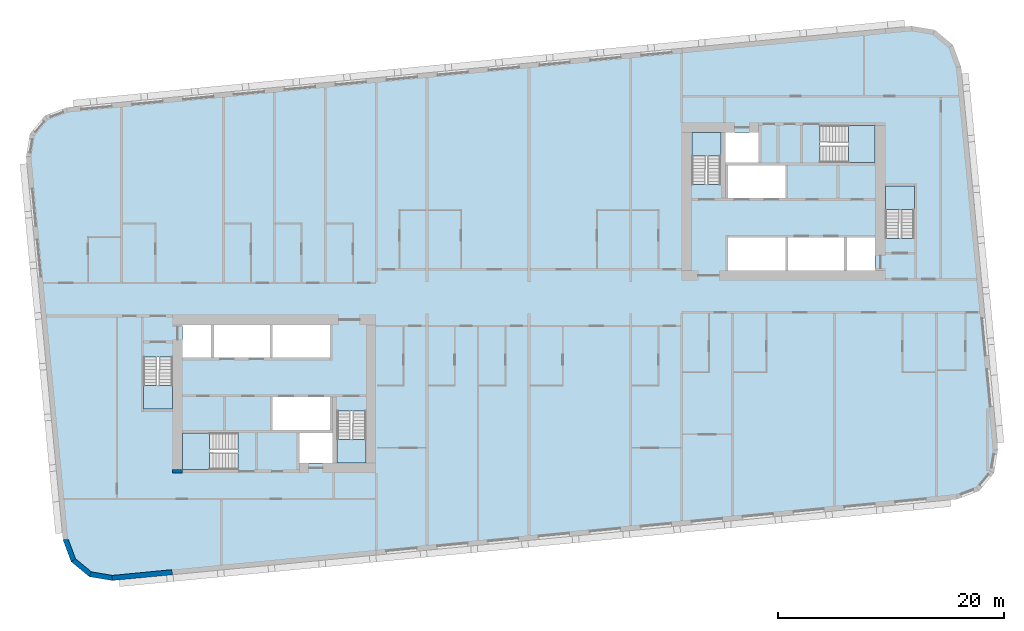
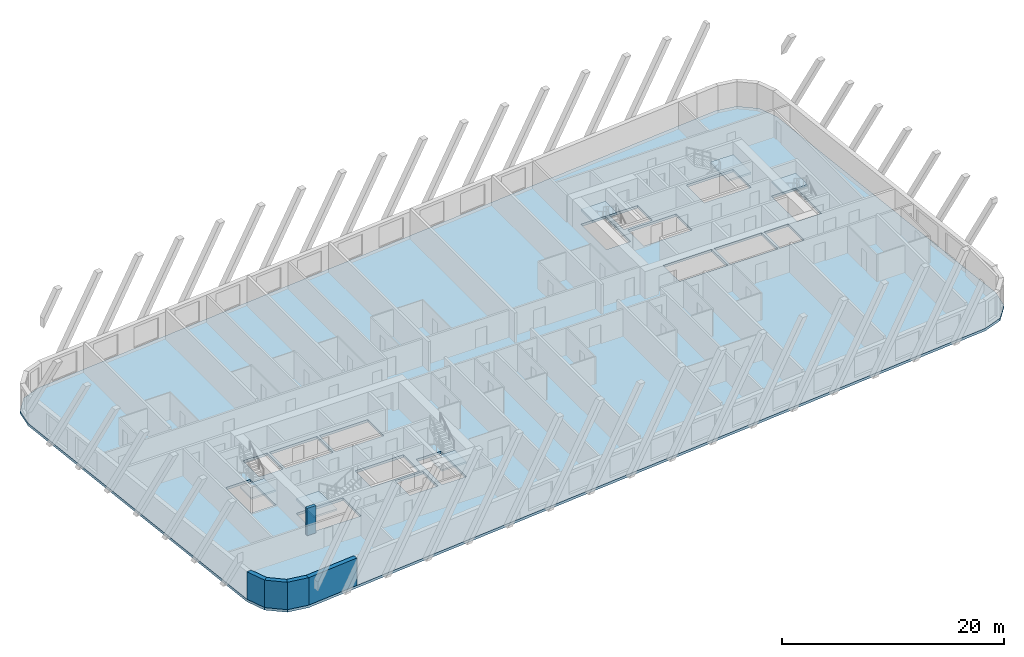
# One storey, part 1 of 13: 7 slabs, 5 walls, 6 elements without a shape of their own.
"""IFC4 building model written with IfcOpenShell, lengths in metres."""

import ifcopenshell
import ifcopenshell.guid

model = None  # the IFC model being written
_history = None  # IfcOwnerHistory: only IFC2X3 demands one
_inside = {}  # id of a spatial element -> (the spatial element, [elements in it])
_under = {}  # id of a project, library or spatial element -> (it, [spatial elements below it])
_declared = {}  # id of a project -> (the project, [libraries it declares])
_typed = {}  # id of a type object -> (the type object, [elements of that type])
_made_of = {}  # id of a material, layer set ... -> (it, [elements and type objects made of it])


def new_model(schema):
    """Start an empty IFC model of exactly this schema.

    Asked for "IFC4X3", IfcOpenShell would pick the latest addendum, in which some entities
    have other attributes; the version numbers below select the first issue.
    IFC2X3 requires an IfcOwnerHistory on every rooted entity: one is made here for all.
    """
    global model, _history
    if schema == "IFC4X3":
        model = ifcopenshell.file(schema_version=(4, 3, 0, 0))
    else:
        model = ifcopenshell.file(schema=schema)
    _inside.clear()
    _under.clear()
    _declared.clear()
    _typed.clear()
    _made_of.clear()
    _history = None
    if model.schema == "IFC2X3":
        org = make("IfcOrganization", Name="unknown")
        user = make(
            "IfcPersonAndOrganization",
            ThePerson=make("IfcPerson", FamilyName="unknown"),
            TheOrganization=org,
        )
        app = make(
            "IfcApplication",
            ApplicationDeveloper=org,
            Version="unknown",
            ApplicationFullName="unknown",
            ApplicationIdentifier="unknown",
        )
        _history = make(
            "IfcOwnerHistory",
            OwningUser=user,
            OwningApplication=app,
            ChangeAction="ADDED",
            CreationDate=0,
        )
    return model


def make(cls, **values):
    """One entity of the class cls with the attributes given. An attribute that is None is left unset."""
    return model.create_entity(
        cls, **{name: value for name, value in values.items() if value is not None}
    )


def rooted(cls, **values):
    """An entity with a GlobalId (a new one), such as an element, a storey or a relation."""
    return make(cls, GlobalId=ifcopenshell.guid.new(), OwnerHistory=_history, **values)


def si_unit(unit_type, name, prefix=None):
    """IfcSIUnit, for example si_unit("LENGTHUNIT", "METRE", prefix="MILLI")."""
    return make("IfcSIUnit", UnitType=unit_type, Prefix=prefix, Name=name)


def assignment(units):
    """IfcUnitAssignment: the units of a project."""
    return None if units is None else make("IfcUnitAssignment", Units=units)


def point(xyz):
    """IfcCartesianPoint."""
    return None if xyz is None else make("IfcCartesianPoint", Coordinates=xyz)


def direction(xyz):
    """IfcDirection."""
    return None if xyz is None else make("IfcDirection", DirectionRatios=xyz)


def frame(location, z_axis=None, x_axis=None):
    """IfcAxis2Placement3D, a coordinate frame: its origin and axes. An axis left out is left unset."""
    return make(
        "IfcAxis2Placement3D",
        Location=point(location),
        Axis=direction(z_axis),
        RefDirection=direction(x_axis),
    )


def frame_2d(location, x_axis=None):
    """IfcAxis2Placement2D, a coordinate frame in the plane: its origin and x axis."""
    return make(
        "IfcAxis2Placement2D", Location=point(location), RefDirection=direction(x_axis)
    )


def origin():
    """The frame at (0, 0, 0) with its axes left unset."""
    return frame((0.0, 0.0, 0.0))


def place(relative_to, where):
    """IfcLocalPlacement: puts the frame where relative to a parent placement (None: the world)."""
    return make(
        "IfcLocalPlacement", PlacementRelTo=relative_to, RelativePlacement=where
    )


def context(
    kind, dimensions, precision=None, world=None, true_north=None, identifier=None
):
    """IfcGeometricRepresentationContext, for example the 3D "Model" context."""
    return make(
        "IfcGeometricRepresentationContext",
        ContextIdentifier=identifier,
        ContextType=kind,
        CoordinateSpaceDimension=dimensions,
        Precision=precision,
        WorldCoordinateSystem=world,
        TrueNorth=true_north,
    )


def subcontext(parent, identifier, kind, view, scale=None):
    """IfcGeometricRepresentationSubContext, for example "Body" below "Model"."""
    return make(
        "IfcGeometricRepresentationSubContext",
        ContextIdentifier=identifier,
        ContextType=kind,
        ParentContext=parent,
        TargetScale=scale,
        TargetView=view,
    )


def project(units=None, contexts=None):
    """IfcProject with its units and contexts."""
    return rooted(
        "IfcProject",
        Name="project",
        RepresentationContexts=contexts,
        UnitsInContext=assignment(units),
    )


def spatial(cls, under=None, at=None, **own):
    """A site, building, storey or space (cls), placed at a placement, below another one or the project."""
    s = rooted(cls, ObjectPlacement=at, **own)
    if under is not None:
        _under.setdefault(under.id(), (under, []))[1].append(s)
    return s


def polyline(points):
    """IfcPolyline through the points."""
    return make("IfcPolyline", Points=[point(p) for p in points])


def profile(cls, at=None, kind="AREA", **sizes):
    """A parametric profile (cls). Its sizes go by their IFC names, for example OverallWidth=200.0."""
    return make(cls, ProfileType=kind, Position=at, **sizes)


def rectangle(**sizes):
    """IfcRectangleProfileDef."""
    return profile("IfcRectangleProfileDef", **sizes)


def outline(outer, holes=None, kind="AREA"):
    """IfcArbitraryClosedProfileDef: a profile drawn as a closed curve; with holes, ...WithVoids."""
    if holes is None:
        return make("IfcArbitraryClosedProfileDef", ProfileType=kind, OuterCurve=outer)
    return make(
        "IfcArbitraryProfileDefWithVoids",
        ProfileType=kind,
        OuterCurve=outer,
        InnerCurves=holes,
    )


def extrude(swept, where, along, depth):
    """IfcExtrudedAreaSolid: the profile swept, set in the frame where, extruded along a direction by depth."""
    return make(
        "IfcExtrudedAreaSolid",
        SweptArea=swept,
        Position=where,
        ExtrudedDirection=direction(along),
        Depth=depth,
    )


def shape(context_of_items, identifier, shape_type, items):
    """IfcShapeRepresentation: the items that make up one representation, for example the "Body"."""
    return make(
        "IfcShapeRepresentation",
        ContextOfItems=context_of_items,
        RepresentationIdentifier=identifier,
        RepresentationType=shape_type,
        Items=items,
    )


def material(Name=None, Category=None):
    """IfcMaterial."""
    return make("IfcMaterial", Name=Name, Category=Category)


def layer(
    of_material, thickness, ventilated=None, Name=None, Category=None, Priority=None
):
    """IfcMaterialLayer: one layer of a wall or slab, of a material (None: an air gap)."""
    return make(
        "IfcMaterialLayer",
        Material=of_material,
        LayerThickness=thickness,
        IsVentilated=ventilated,
        Name=Name,
        Category=Category,
        Priority=Priority,
    )


def layer_set(layers, Name=None):
    """IfcMaterialLayerSet."""
    return make("IfcMaterialLayerSet", MaterialLayers=layers, LayerSetName=Name)


def made_of(thing, what):
    """Note that an element or type object is made of a material, layer set ...; save() writes the relation."""
    if what is not None:
        _made_of.setdefault(what.id(), (what, []))[1].append(thing)
    return thing


def type_object(cls, material=None, **own):
    """A type object (cls), such as IfcWallType, which elements share."""
    return made_of(rooted(cls, **own), material)


def element(
    cls,
    number,
    at=None,
    inside=None,
    cuts=None,
    type_object=None,
    material=None,
    context=None,
    identifier="Body",
    shape_type=None,
    held_by="IfcProductDefinitionShape",
    body=None,
    shapes=None,
    **own,
):
    """One element of the class cls, such as IfcWall. Its Tag is "e" and its number.

    at: its placement. inside: the storey or other place that contains it. cuts: it is an
    opening in that element (IfcRelVoidsElement). A single representation is given by context,
    identifier, shape_type and body (its items); several are given by shapes. held_by: the class
    of the entity that holds the representations. save() writes the other relations.
    """
    e = rooted(cls, Tag="e%d" % number, ObjectPlacement=at, **own)
    if body is not None:
        shapes = [shape(context, identifier, shape_type, body)]
    if shapes is not None:
        e.Representation = make(held_by, Representations=shapes)
    if inside is not None:
        _inside.setdefault(inside.id(), (inside, []))[1].append(e)
    if cuts is not None:
        rooted(
            "IfcRelVoidsElement", RelatingBuildingElement=cuts, RelatedOpeningElement=e
        )
    if type_object is not None:
        _typed.setdefault(type_object.id(), (type_object, []))[1].append(e)
    return made_of(e, material)


def aggregate(whole, parts):
    """IfcRelAggregates: a whole, such as a stair, and the parts it consists of."""
    return rooted("IfcRelAggregates", RelatingObject=whole, RelatedObjects=parts)


def save(model, path):
    """Write the relations noted so far, then the file.

    IfcRelAggregates (storeys below a building ...), IfcRelContainedInSpatialStructure (elements
    in a storey), IfcRelDefinesByType, IfcRelAssociatesMaterial and IfcRelDeclares: one each for
    every whole, place, type object, material and project.
    """
    for whole, parts in _under.values():
        aggregate(whole, parts)
    for where, things in _inside.values():
        rooted(
            "IfcRelContainedInSpatialStructure",
            RelatedElements=things,
            RelatingStructure=where,
        )
    for kind, things in _typed.values():
        rooted("IfcRelDefinesByType", RelatedObjects=things, RelatingType=kind)
    for what, things in _made_of.values():
        rooted("IfcRelAssociatesMaterial", RelatedObjects=things, RelatingMaterial=what)
    for by, libraries in _declared.values():
        rooted("IfcRelDeclares", RelatingContext=by, RelatedDefinitions=libraries)
    model.write(path)


model = new_model("IFC4")

# Units and contexts
model_context = context("Model", 3, precision=1e-05, world=origin(), true_north=direction((0.0, 1.0)))
body_context = subcontext(model_context, "Body", "Model", "MODEL_VIEW")
ifc_project = project(units=[si_unit("LENGTHUNIT", "METRE"), si_unit("AREAUNIT", "SQUARE_METRE"), si_unit("VOLUMEUNIT", "CUBIC_METRE"), si_unit("PLANEANGLEUNIT", "RADIAN"), si_unit("MASSUNIT", "GRAM", prefix="KILO")], contexts=[model_context])

# Site, building, storey
site_placement = place(None, origin())
site = spatial("IfcSite", under=ifc_project, at=site_placement, CompositionType="ELEMENT")
building_placement = place(site_placement, origin())
building = spatial("IfcBuilding", under=site, at=building_placement, Name="Kajstack Hotel Tower", CompositionType="ELEMENT")
storey_placement = place(building_placement, frame((0.0, 0.0, 176.800048828125)))
storey = spatial("IfcBuildingStorey", under=building, at=storey_placement, Name="L41", CompositionType="ELEMENT", Elevation=176.800048828125)

# Slab
ifc_material_1 = material(Name="Concrete C40/50", Category="concrete")
ifc_layer_1 = layer(ifc_material_1, 0.280029296875)
ifc_layer_set_1 = layer_set([ifc_layer_1], Name="RC slab 280 C40/50 guest")
slab_type_1 = type_object("IfcSlabType", Name="RC slab 280 C40/50 guest", PredefinedType="FLOOR", material=ifc_layer_set_1)
slab_1_placement = place(storey_placement, frame((0.0, 0.0, -0.280029296875)))
element("IfcSlab", 1, at=slab_1_placement, inside=storey, type_object=slab_type_1, Name="S-slab-L41", PredefinedType="FLOOR", context=body_context, shape_type="SweptSolid", body=[
    extrude(outline(polyline([(-44.438232421875, 12.444091796875), (-41.1796875, -21.3994140625), (-40.454345703125, -23.3388671875), (-38.856689453125, -24.65576171875), (-36.814697265625, -24.99755859375), (37.840087890625, -17.80908203125), (39.779541015625, -17.083984375), (41.0966796875, -15.486328125), (41.438232421875, -13.444091796875), (38.1796875, 20.3994140625), (37.454345703125, 22.3388671875), (35.856689453125, 23.65576171875), (33.814697265625, 23.99755859375), (-40.840087890625, 16.80908203125), (-42.779541015625, 16.083984375), (-44.0966796875, 14.486328125), (-44.438232421875, 12.444091796875)]), holes=[polyline([(-22.64990234375, -11.699951171875), (-22.64990234375, -8.800048828125), (-17.60009765625, -8.800048828125), (-17.60009765625, -11.699951171875), (-22.64990234375, -11.699951171875)]), polyline([(-27.85009765625, -5.300048828125), (-27.85009765625, -2.39990234375), (-22.89990234375, -2.39990234375), (-22.89990234375, -5.300048828125), (-27.85009765625, -5.300048828125)]), polyline([(-22.64990234375, -5.300048828125), (-22.64990234375, -2.39990234375), (-17.60009765625, -2.39990234375), (-17.60009765625, -5.300048828125), (-22.64990234375, -5.300048828125)]), polyline([(-20.300048828125, -14.60009765625), (-17.35009765625, -14.60009765625), (-17.35009765625, -11.949951171875), (-20.300048828125, -11.949951171875), (-20.300048828125, -14.60009765625)]), polyline([(-30.60009765625, -5.300048828125), (-28.10009765625, -5.300048828125), (-28.10009765625, -2.39990234375), (-30.60009765625, -2.39990234375), (-30.60009765625, -5.300048828125)]), polyline([(17.60009765625, 8.800048828125), (17.60009765625, 11.699951171875), (22.64990234375, 11.699951171875), (22.64990234375, 8.800048828125), (17.60009765625, 8.800048828125)]), polyline([(22.89990234375, 2.39990234375), (22.89990234375, 5.300048828125), (27.85009765625, 5.300048828125), (27.85009765625, 2.39990234375), (22.89990234375, 2.39990234375)]), polyline([(17.60009765625, 2.39990234375), (17.60009765625, 5.300048828125), (22.64990234375, 5.300048828125), (22.64990234375, 2.39990234375), (17.60009765625, 2.39990234375)]), polyline([(20.300048828125, 14.60009765625), (17.35009765625, 14.60009765625), (17.35009765625, 11.949951171875), (20.300048828125, 11.949951171875), (20.300048828125, 14.60009765625)]), polyline([(30.60009765625, 5.300048828125), (28.10009765625, 5.300048828125), (28.10009765625, 2.39990234375), (30.60009765625, 2.39990234375), (30.60009765625, 5.300048828125)]), polyline([(-34.050048828125, -9.85009765625), (-31.5, -9.85009765625), (-31.5, -5.25), (-34.050048828125, -5.25), (-34.050048828125, -9.85009765625)]), polyline([(-16.949951171875, -14.60009765625), (-14.39990234375, -14.60009765625), (-14.39990234375, -10.0), (-16.949951171875, -10.0), (-16.949951171875, -14.60009765625)]), polyline([(-30.60009765625, -15.199951171875), (-25.699951171875, -15.199951171875), (-25.699951171875, -11.949951171875), (-30.60009765625, -11.949951171875), (-30.60009765625, -15.199951171875)]), polyline([(34.050048828125, 9.85009765625), (31.5, 9.85009765625), (31.5, 5.25), (34.050048828125, 5.25), (34.050048828125, 9.85009765625)]), polyline([(16.949951171875, 14.60009765625), (14.39990234375, 14.60009765625), (14.39990234375, 10.0), (16.949951171875, 10.0), (16.949951171875, 14.60009765625)]), polyline([(30.60009765625, 15.199951171875), (25.699951171875, 15.199951171875), (25.699951171875, 11.949951171875), (30.60009765625, 11.949951171875), (30.60009765625, 15.199951171875)])]), origin(), (0.0, 0.0, 1.0), 0.280029296875),
])

# Stair, slab
stair_type_1 = type_object("IfcStairType", Name="Exit stair 1200", PredefinedType="HALF_TURN_STAIR", material=ifc_material_1)
stair_1_placement = place(storey_placement, origin())
stair_1 = element("IfcStair", 2, at=stair_1_placement, inside=storey, type_object=stair_type_1, Name="L41 stair W1", PredefinedType="HALF_TURN_STAIR")
ifc_layer_2 = layer(ifc_material_1, 0.199951171875)
ifc_layer_set_2 = layer_set([ifc_layer_2], Name="Stair landing 200")
slab_type_2 = type_object("IfcSlabType", Name="Stair landing 200", PredefinedType="LANDING", material=ifc_layer_set_2)
slab_2_placement = place(storey_placement, frame((0.0, 0.0, 1.449951171875)))
slab_2 = element("IfcSlab", 3, at=slab_2_placement, type_object=slab_type_2, Name="W1 landing 1", PredefinedType="LANDING", context=body_context, shape_type="SweptSolid", body=[
    extrude(outline(polyline([(-34.050048828125, -7.77001953125), (-34.050048828125, -9.85009765625), (-31.5, -9.85009765625), (-31.5, -7.77001953125), (-34.050048828125, -7.77001953125)])), origin(), (0.0, 0.0, 1.0), 0.199951171875),
])
aggregate(stair_1, [slab_2])

stair_2_placement = place(storey_placement, origin())
stair_2 = element("IfcStair", 4, at=stair_2_placement, inside=storey, type_object=stair_type_1, Name="L41 stair W2", PredefinedType="HALF_TURN_STAIR")
slab_3_placement = place(storey_placement, frame((0.0, 0.0, 1.449951171875)))
slab_3 = element("IfcSlab", 5, at=slab_3_placement, type_object=slab_type_2, Name="W2 landing 1", PredefinedType="LANDING", context=body_context, shape_type="SweptSolid", body=[
    extrude(outline(polyline([(-16.949951171875, -12.52001953125), (-16.949951171875, -14.60009765625), (-14.39990234375, -14.60009765625), (-14.39990234375, -12.52001953125), (-16.949951171875, -12.52001953125)])), origin(), (0.0, 0.0, 1.0), 0.199951171875),
])
aggregate(stair_2, [slab_3])

stair_type_2 = type_object("IfcStairType", Name="Exit stair 1500", PredefinedType="HALF_TURN_STAIR", material=ifc_material_1)
stair_3_placement = place(storey_placement, origin())
stair_3 = element("IfcStair", 6, at=stair_3_placement, inside=storey, type_object=stair_type_2, Name="L41 stair W3", PredefinedType="HALF_TURN_STAIR")
slab_4_placement = place(storey_placement, frame((0.0, 0.0, 1.449951171875)))
slab_4 = element("IfcSlab", 7, at=slab_4_placement, type_object=slab_type_2, Name="W3 landing 1", PredefinedType="LANDING", context=body_context, shape_type="SweptSolid", body=[
    extrude(outline(polyline([(-28.219970703125, -11.949951171875), (-30.60009765625, -11.949951171875), (-30.60009765625, -15.199951171875), (-28.219970703125, -15.199951171875), (-28.219970703125, -11.949951171875)])), origin(), (0.0, 0.0, 1.0), 0.199951171875),
])
aggregate(stair_3, [slab_4])

stair_4_placement = place(storey_placement, origin())
stair_4 = element("IfcStair", 8, at=stair_4_placement, inside=storey, type_object=stair_type_1, Name="L41 stair E1", PredefinedType="HALF_TURN_STAIR")
slab_5_placement = place(storey_placement, frame((0.0, 0.0, 1.449951171875)))
slab_5 = element("IfcSlab", 9, at=slab_5_placement, type_object=slab_type_2, Name="E1 landing 1", PredefinedType="LANDING", context=body_context, shape_type="SweptSolid", body=[
    extrude(outline(polyline([(34.050048828125, 7.77001953125), (34.050048828125, 9.85009765625), (31.5, 9.85009765625), (31.5, 7.77001953125), (34.050048828125, 7.77001953125)])), origin(), (0.0, 0.0, 1.0), 0.199951171875),
])
aggregate(stair_4, [slab_5])

stair_5_placement = place(storey_placement, origin())
stair_5 = element("IfcStair", 10, at=stair_5_placement, inside=storey, type_object=stair_type_1, Name="L41 stair E2", PredefinedType="HALF_TURN_STAIR")
slab_6_placement = place(storey_placement, frame((0.0, 0.0, 1.449951171875)))
slab_6 = element("IfcSlab", 11, at=slab_6_placement, type_object=slab_type_2, Name="E2 landing 1", PredefinedType="LANDING", context=body_context, shape_type="SweptSolid", body=[
    extrude(outline(polyline([(16.949951171875, 12.52001953125), (16.949951171875, 14.60009765625), (14.39990234375, 14.60009765625), (14.39990234375, 12.52001953125), (16.949951171875, 12.52001953125)])), origin(), (0.0, 0.0, 1.0), 0.199951171875),
])
aggregate(stair_5, [slab_6])

stair_6_placement = place(storey_placement, origin())
stair_6 = element("IfcStair", 12, at=stair_6_placement, inside=storey, type_object=stair_type_2, Name="L41 stair E3", PredefinedType="HALF_TURN_STAIR")
slab_7_placement = place(storey_placement, frame((0.0, 0.0, 1.449951171875)))
slab_7 = element("IfcSlab", 13, at=slab_7_placement, type_object=slab_type_2, Name="E3 landing 1", PredefinedType="LANDING", context=body_context, shape_type="SweptSolid", body=[
    extrude(outline(polyline([(28.219970703125, 11.949951171875), (30.60009765625, 11.949951171875), (30.60009765625, 15.199951171875), (28.219970703125, 15.199951171875), (28.219970703125, 11.949951171875)])), origin(), (0.0, 0.0, 1.0), 0.199951171875),
])
aggregate(stair_6, [slab_7])

# Walls
ifc_material_2 = material(Name="Concrete C60/75", Category="concrete")
ifc_layer_3 = layer(ifc_material_2, 0.89990234375)
ifc_layer_set_3 = layer_set([ifc_layer_3], Name="Core wall 900")
wall_type_1 = type_object("IfcWallType", Name="Core wall 900", PredefinedType="SHEAR", material=ifc_layer_set_3)
wall_1_placement = place(storey_placement, frame((-31.5, -15.35009765625, 0.0), z_axis=(0.0, 0.0, 1.0), x_axis=(1.0, 0.0, 0.0)))
element("IfcWall", 14, at=wall_1_placement, inside=storey, type_object=wall_type_1, Name="Core wall W RSW", PredefinedType="SHEAR", context=body_context, shape_type="SweptSolid", body=[
    extrude(rectangle(XDim=0.89990234375, YDim=0.300048828125, at=frame_2d((0.449951171875, 0.0))), origin(), (0.0, 0.0, 1.0), 3.02001953125),
])
ifc_material_3 = material(Name="Terracotta-faced brick masonry", Category="masonry")
ifc_layer_4 = layer(ifc_material_3, 0.449951171875)
ifc_layer_set_4 = layer_set([ifc_layer_4], Name="EW-TERRA")
wall_type_2 = type_object("IfcWallType", Name="EW-TERRA", PredefinedType="SOLIDWALL", material=ifc_layer_set_4)
wall_2_placement = place(storey_placement, frame((-40.96875, -21.320556640625, 0.0), z_axis=(0.0, 0.0, 1.0), x_axis=(0.350192909346, -0.936677599948, 0.0)))
element("IfcWall", 15, at=wall_2_placement, inside=storey, type_object=wall_type_2, Name="E-wall-L41-01-00", PredefinedType="SOLIDWALL", context=body_context, shape_type="SweptSolid", body=[
    extrude(outline(polyline([(0.0, -0.22509765625), (2.070556640625, -0.22509765625), (1.949951171875, 0.22509765625), (0.12060546875, 0.224853515625), (0.0, -0.22509765625)])), origin(), (0.0, 0.0, 1.0), 3.02001953125),
])
wall_3_placement = place(storey_placement, frame((-40.311279296875, -23.165283203125, 0.0), z_axis=(0.0, 0.0, 1.0), x_axis=(0.771651049663, -0.636046112757, 0.0)))
element("IfcWall", 16, at=wall_3_placement, inside=storey, type_object=wall_type_2, Name="E-wall-L41-02-00", PredefinedType="SOLIDWALL", context=body_context, shape_type="SweptSolid", body=[
    extrude(outline(polyline([(0.0, -0.224853515625), (2.0703125, -0.22509765625), (1.94970703125, 0.224853515625), (0.12060546875, 0.22509765625), (0.0, -0.224853515625)])), origin(), (0.0, 0.0, 1.0), 3.02001953125),
])
wall_4_placement = place(storey_placement, frame((-38.819580078125, -24.433837890625, 0.0), z_axis=(0.0, 0.0, 1.0), x_axis=(0.986278951104, -0.165087342366, 0.0)))
element("IfcWall", 17, at=wall_4_placement, inside=storey, type_object=wall_type_2, Name="E-wall-L41-03-00", PredefinedType="SOLIDWALL", context=body_context, shape_type="SweptSolid", body=[
    extrude(outline(polyline([(0.0, -0.22509765625), (2.070556640625, -0.224853515625), (1.949951171875, 0.22509765625), (0.12060546875, 0.224853515625), (0.0, -0.22509765625)])), origin(), (0.0, 0.0, 1.0), 3.02001953125),
])
wall_5_placement = place(storey_placement, frame((-36.836181640625, -24.7734375, 0.0), z_axis=(0.0, 0.0, 1.0), x_axis=(0.995396705659, 0.095840483948, 0.0)))
element("IfcWall", 18, at=wall_5_placement, inside=storey, type_object=wall_type_2, Name="E-wall-L41-04-00", PredefinedType="SOLIDWALL", context=body_context, shape_type="SweptSolid", body=[
    extrude(rectangle(XDim=5.33935546875, YDim=0.449951171875, at=frame_2d((2.669677734375, 0.0))), origin(), (0.0, 0.0, 1.0), 3.02001953125),
])

save(model, "model.ifc")
